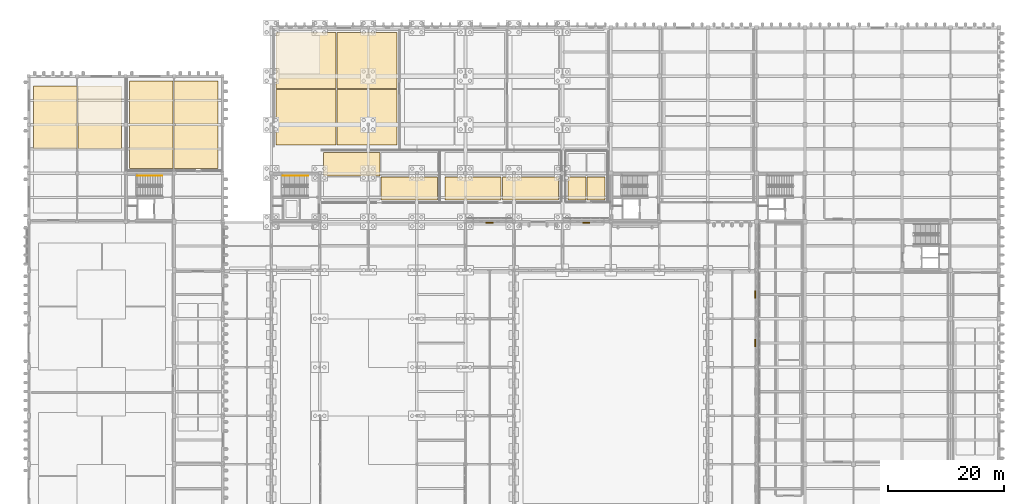
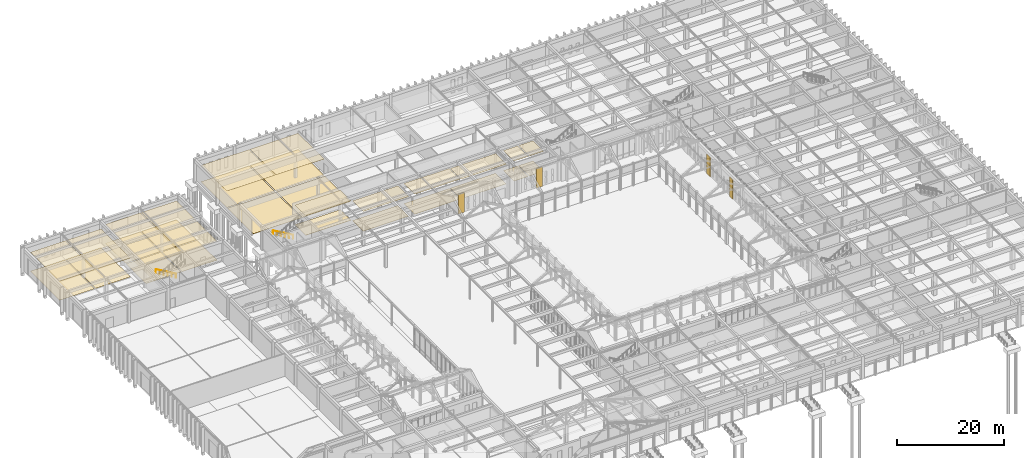
# One storey, part 137 of 143: 30 coverings, 4 shading devices, 2 railings.
"""IFC4 building model written with IfcOpenShell, lengths in metres."""

from ifc_helpers import new_model, si_unit, direction, frame, origin, origin_2d, place, context, subcontext, project, spatial, rectangle, circle, extrude, material, layer, layer_set, type_object, element, save


model = new_model("IFC4")

# Units and contexts
model_context = context("Model", 3, precision=1e-05, world=origin(), true_north=direction((0.0, 1.0)))
body_context = subcontext(model_context, "Body", "Model", "MODEL_VIEW")
ifc_project = project(units=[si_unit("LENGTHUNIT", "METRE"), si_unit("AREAUNIT", "SQUARE_METRE"), si_unit("VOLUMEUNIT", "CUBIC_METRE"), si_unit("PLANEANGLEUNIT", "RADIAN"), si_unit("MASSUNIT", "GRAM", prefix="KILO")], contexts=[model_context])

# Site, building, storey
site_placement = place(None, origin())
site = spatial("IfcSite", under=ifc_project, at=site_placement, CompositionType="ELEMENT")
building_placement = place(site_placement, origin())
building = spatial("IfcBuilding", under=site, at=building_placement, Name="Kveldsbrygga Polytechnic", CompositionType="ELEMENT")
storey_placement = place(building_placement, origin())
storey = spatial("IfcBuildingStorey", under=building, at=storey_placement, Name="L00", CompositionType="ELEMENT", Elevation=0.0)

# Coverings
ifc_material_1 = material(Name="Acoustic mineral baffle ceiling")
ifc_layer_1 = layer(ifc_material_1, 0.030029296875)
ifc_layer_set_1 = layer_set([ifc_layer_1], Name="Acoustic mineral baffle ceiling")
covering_type_1 = type_object("IfcCoveringType", Name="COV-CEIL-AC30", PredefinedType="CEILING", material=ifc_layer_set_1)
for number, where, z_axis, x_axis, name in (
    (1, (4.60009765625, 102.050048828125, 4.2900390625), (0.0, 0.0, 1.0), (1.0, 0.0, 0.0), "Acoustic Ceiling SP-L00-LOAD-WN"),
    (2, (12.300048828125, 102.050048828125, 4.2900390625), (0.0, 0.0, 1.0), (1.0, 0.0, 0.0), "Acoustic Ceiling SP-L00-LOAD-EN"),
):
    element("IfcCovering", number, at=place(storey_placement, frame(where, z_axis=z_axis, x_axis=x_axis)), inside=storey, type_object=covering_type_1, Name=name, PredefinedType="CEILING", context=body_context, shape_type="SweptSolid", body=[
        extrude(rectangle(XDim=7.5, YDim=10.89990234375, at=origin_2d()), origin(), (0.0, 0.0, 1.0), 0.030029296875),
    ])
for number, where, z_axis, x_axis, name in (
    (3, (21.22509765625, 96.97509765625, 4.2900390625), (0.0, 0.0, 1.0), (1.0, 0.0, 0.0), "Acoustic Ceiling SP-L00-WKSTOR-WS"),
    (4, (21.22509765625, 104.625, 4.2900390625), (0.0, 0.0, 1.0), (1.0, 0.0, 0.0), "Acoustic Ceiling SP-L00-WKSTOR-WN"),
    (5, (28.97509765625, 96.97509765625, 4.2900390625), (0.0, 0.0, 1.0), (1.0, 0.0, 0.0), "Acoustic Ceiling SP-L00-WKSTOR-ES"),
    (6, (28.97509765625, 104.625, 4.2900390625), (0.0, 0.0, 1.0), (1.0, 0.0, 0.0), "Acoustic Ceiling SP-L00-WKSTOR-EN"),
):
    element("IfcCovering", number, at=place(storey_placement, frame(where, z_axis=z_axis, x_axis=x_axis)), inside=storey, type_object=covering_type_1, Name=name, PredefinedType="CEILING", context=body_context, shape_type="SweptSolid", body=[
        extrude(rectangle(XDim=7.550048828125, YDim=7.449951171875, at=origin_2d()), origin(), (0.0, 0.0, 1.0), 0.030029296875),
    ])
for number, where, z_axis, x_axis, name in (
    (7, (55.925048828125, 93.949951171875, 4.43017578125), (0.0, 0.0, 1.0), (1.0, 0.0, 0.0), "Acoustic Ceiling SP-L00-SEM01-WN"),
    (8, (65.875, 89.75, 4.4599609375), (0.0, 0.0, 1.0), (1.0, 0.0, 0.0), "Acoustic Ceiling SP-L00-SEM01-ES"),
    (9, (76.925048828125, 89.75, 4.5498046875), (0.0, 0.0, 1.0), (1.0, 0.0, 0.0), "Acoustic Ceiling SP-L00-SEM02-WS"),
    (10, (86.875, 89.75, 4.4599609375), (0.0, 0.0, 1.0), (1.0, 0.0, 0.0), "Acoustic Ceiling SP-L00-SEM02-ES"),
):
    element("IfcCovering", number, at=place(storey_placement, frame(where, z_axis=z_axis, x_axis=x_axis)), inside=storey, type_object=covering_type_1, Name=name, PredefinedType="CEILING", context=body_context, shape_type="SweptSolid", body=[
        extrude(rectangle(XDim=9.75, YDim=4.0, at=origin_2d()), origin(), (0.0, 0.0, 1.0), 0.030029296875),
    ])
ifc_material_2 = material(Name="Gypsum acoustic ceiling")
ifc_layer_2 = layer(ifc_material_2, 0.02001953125)
ifc_layer_set_2 = layer_set([ifc_layer_2], Name="Gypsum acoustic ceiling")
covering_type_2 = type_object("IfcCoveringType", Name="COV-CEIL-GY20", PredefinedType="CEILING", material=ifc_layer_set_2)
for number, where, z_axis, x_axis, name in (
    (11, (94.949951171875, 89.762451171875, 4.56005859375), (0.0, 0.0, 1.0), (1.0, 0.0, 0.0), "Acoustic Ceiling SP-L00-V2WC-WS"),
    (12, (98.25, 89.762451171875, 4.56005859375), (0.0, 0.0, 1.0), (1.0, 0.0, 0.0), "Acoustic Ceiling SP-L00-V2WC-ES"),
):
    element("IfcCovering", number, at=place(storey_placement, frame(where, z_axis=z_axis, x_axis=x_axis)), inside=storey, type_object=covering_type_2, Name=name, PredefinedType="CEILING", context=body_context, shape_type="SweptSolid", body=[
        extrude(rectangle(XDim=3.10009765625, YDim=3.925048828125, at=origin_2d()), origin(), (0.0, 0.0, 1.0), 0.02001953125),
    ])
ifc_material_3 = material(Name="Acoustic oak timber slat ceiling", Category="wood")
ifc_layer_3 = layer(ifc_material_3, 0.0400390625)
ifc_layer_set_3 = layer_set([ifc_layer_3], Name="Acoustic oak timber slat ceiling")
covering_type_3 = type_object("IfcCoveringType", Name="COV-CEIL-WD40", PredefinedType="CEILING", material=ifc_layer_set_3)
for number, where, z_axis, x_axis, name in (
    (13, (48.02490234375, 111.925048828125, 3.699951171875), (0.0, 0.0, 1.0), (1.0, 0.0, 0.0), "Acoustic Ceiling SP-L00-LT1-WN"),
    (14, (58.574951171875, 111.925048828125, 3.699951171875), (0.0, 0.0, 1.0), (1.0, 0.0, 0.0), "Acoustic Ceiling SP-L00-LT1-EN"),
):
    element("IfcCovering", number, at=place(storey_placement, frame(where, z_axis=z_axis, x_axis=x_axis)), inside=storey, type_object=covering_type_3, Name=name, PredefinedType="CEILING", context=body_context, shape_type="SweptSolid", body=[
        extrude(rectangle(XDim=10.35009765625, YDim=9.64990234375, at=origin_2d()), origin(), (0.0, 0.0, 1.0), 0.0400390625),
    ])
ifc_material_4 = material(Name="Iddefjord granite honed paving", Category="masonry")
ifc_layer_4 = layer(ifc_material_4, 0.02490234375)
ifc_layer_set_4 = layer_set([ifc_layer_4], Name="Iddefjord granite honed paving")
covering_type_4 = type_object("IfcCoveringType", Name="COV-FLR-GRN25", PredefinedType="FLOORING", material=ifc_layer_set_4)
for number, where, z_axis, x_axis, name in (
    (15, (94.949951171875, 89.762451171875, 0.0), (0.0, 0.0, 1.0), (1.0, 0.0, 0.0), "Room Flooring SP-L00-V2WC-WS"),
    (16, (98.25, 89.762451171875, 0.0), (0.0, 0.0, 1.0), (1.0, 0.0, 0.0), "Room Flooring SP-L00-V2WC-ES"),
):
    element("IfcCovering", number, at=place(storey_placement, frame(where, z_axis=z_axis, x_axis=x_axis)), inside=storey, type_object=covering_type_4, Name=name, PredefinedType="FLOORING", context=body_context, shape_type="SweptSolid", body=[
        extrude(rectangle(XDim=3.10009765625, YDim=3.925048828125, at=origin_2d()), origin(), (0.0, 0.0, 1.0), 0.02490234375),
    ])
ifc_material_5 = material(Name="Acoustic oak timber flooring", Category="wood")
ifc_layer_5 = layer(ifc_material_5, 0.02197265625)
ifc_layer_set_5 = layer_set([ifc_layer_5], Name="Acoustic oak timber flooring")
covering_type_5 = type_object("IfcCoveringType", Name="COV-FLR-OAK22", PredefinedType="FLOORING", material=ifc_layer_set_5)
for number, where, z_axis, x_axis, name in (
    (17, (4.60009765625, 102.050048828125, 0.0), (0.0, 0.0, 1.0), (1.0, 0.0, 0.0), "Room Flooring SP-L00-LOAD-WN"),
    (18, (12.300048828125, 102.050048828125, 0.0), (0.0, 0.0, 1.0), (1.0, 0.0, 0.0), "Room Flooring SP-L00-LOAD-EN"),
):
    element("IfcCovering", number, at=place(storey_placement, frame(where, z_axis=z_axis, x_axis=x_axis)), inside=storey, type_object=covering_type_5, Name=name, PredefinedType="FLOORING", context=body_context, shape_type="SweptSolid", body=[
        extrude(rectangle(XDim=7.5, YDim=10.89990234375, at=origin_2d()), origin(), (0.0, 0.0, 1.0), 0.02197265625),
    ])
for number, where, z_axis, x_axis, name in (
    (19, (21.22509765625, 96.97509765625, 0.0), (0.0, 0.0, 1.0), (1.0, 0.0, 0.0), "Room Flooring SP-L00-WKSTOR-WS"),
    (20, (21.22509765625, 104.625, 0.0), (0.0, 0.0, 1.0), (1.0, 0.0, 0.0), "Room Flooring SP-L00-WKSTOR-WN"),
    (21, (28.97509765625, 96.97509765625, 0.0), (0.0, 0.0, 1.0), (1.0, 0.0, 0.0), "Room Flooring SP-L00-WKSTOR-ES"),
    (22, (28.97509765625, 104.625, 0.0), (0.0, 0.0, 1.0), (1.0, 0.0, 0.0), "Room Flooring SP-L00-WKSTOR-EN"),
):
    element("IfcCovering", number, at=place(storey_placement, frame(where, z_axis=z_axis, x_axis=x_axis)), inside=storey, type_object=covering_type_5, Name=name, PredefinedType="FLOORING", context=body_context, shape_type="SweptSolid", body=[
        extrude(rectangle(XDim=7.550048828125, YDim=7.449951171875, at=origin_2d()), origin(), (0.0, 0.0, 1.0), 0.02197265625),
    ])
for number, where, z_axis, x_axis, name in (
    (23, (55.925048828125, 93.949951171875, 0.0), (0.0, 0.0, 1.0), (1.0, 0.0, 0.0), "Room Flooring SP-L00-SEM01-WN"),
    (24, (65.875, 89.75, 0.0), (0.0, 0.0, 1.0), (1.0, 0.0, 0.0), "Room Flooring SP-L00-SEM01-ES"),
    (25, (76.925048828125, 89.75, 0.0), (0.0, 0.0, 1.0), (1.0, 0.0, 0.0), "Room Flooring SP-L00-SEM02-WS"),
    (26, (86.875, 89.75, 0.0), (0.0, 0.0, 1.0), (1.0, 0.0, 0.0), "Room Flooring SP-L00-SEM02-ES"),
):
    element("IfcCovering", number, at=place(storey_placement, frame(where, z_axis=z_axis, x_axis=x_axis)), inside=storey, type_object=covering_type_5, Name=name, PredefinedType="FLOORING", context=body_context, shape_type="SweptSolid", body=[
        extrude(rectangle(XDim=9.75, YDim=4.0, at=origin_2d()), origin(), (0.0, 0.0, 1.0), 0.02197265625),
    ])
for number, where, z_axis, x_axis, name in (
    (27, (48.02490234375, 102.074951171875, 0.0), (0.0, 0.0, 1.0), (1.0, 0.0, 0.0), "Room Flooring SP-L00-LT1-WS"),
    (28, (48.02490234375, 111.925048828125, 0.0), (0.0, 0.0, 1.0), (1.0, 0.0, 0.0), "Room Flooring SP-L00-LT1-WN"),
    (29, (58.574951171875, 102.074951171875, 0.0), (0.0, 0.0, 1.0), (1.0, 0.0, 0.0), "Room Flooring SP-L00-LT1-ES"),
    (30, (58.574951171875, 111.925048828125, 0.0), (0.0, 0.0, 1.0), (1.0, 0.0, 0.0), "Room Flooring SP-L00-LT1-EN"),
):
    element("IfcCovering", number, at=place(storey_placement, frame(where, z_axis=z_axis, x_axis=x_axis)), inside=storey, type_object=covering_type_5, Name=name, PredefinedType="FLOORING", context=body_context, shape_type="SweptSolid", body=[
        extrude(rectangle(XDim=10.35009765625, YDim=9.64990234375, at=origin_2d()), origin(), (0.0, 0.0, 1.0), 0.02197265625),
    ])

# Railings
ifc_material_6 = material(Name="Steel S355", Category="steel")
railing_type = type_object("IfcRailingType", Name="RL-STAIR-HND", PredefinedType="HANDRAIL", material=ifc_material_6)
railing_1_placement = place(storey_placement, frame((48.35009765625, 91.949951171875, 0.169921875)))
element("IfcRailing", 31, at=railing_1_placement, inside=storey, type_object=railing_type, Name="L00 ST-7 stair handrail 1", PredefinedType="HANDRAIL", context=body_context, shape_type="SweptSolid", body=[
    extrude(circle(Radius=0.02392578125, at=origin_2d()), frame((0.0, 0.0, 0.8759765625), z_axis=(-0.862698698498, 0.0, 0.505718257145), x_axis=(0.0, -1.0, 0.0)), (0.0, 0.0, 1.0), 5.04248046875),
    extrude(circle(Radius=0.02099609375, at=origin_2d()), origin(), (0.0, 0.0, 1.0), 0.847900390625),
    extrude(circle(Radius=0.02099609375, at=origin_2d()), frame((-0.8701171875, 0.0, 0.510009765625)), (0.0, 0.0, 1.0), 0.847900390625),
    extrude(circle(Radius=0.02099609375, at=origin_2d()), frame((-1.739990234375, 0.0, 1.02001953125)), (0.0, 0.0, 1.0), 0.847900390625),
    extrude(circle(Radius=0.02099609375, at=origin_2d()), frame((-2.610107421875, 0.0, 1.530029296875)), (0.0, 0.0, 1.0), 0.847900390625),
    extrude(circle(Radius=0.02099609375, at=origin_2d()), frame((-3.47998046875, 0.0, 2.0400390625)), (0.0, 0.0, 1.0), 0.847900390625),
    extrude(circle(Radius=0.02099609375, at=origin_2d()), frame((-4.35009765625, 0.0, 2.550048828125)), (0.0, 0.0, 1.0), 0.847900390625),
])
railing_2_placement = place(storey_placement, frame((23.14990234375, 91.949951171875, 0.169921875)))
element("IfcRailing", 32, at=railing_2_placement, inside=storey, type_object=railing_type, Name="L00 ST-8 stair handrail 1", PredefinedType="HANDRAIL", context=body_context, shape_type="SweptSolid", body=[
    extrude(circle(Radius=0.02392578125, at=origin_2d()), frame((0.0, 0.0, 0.8759765625), z_axis=(-0.862686314962, 0.0, 0.505739381477), x_axis=(0.0, -1.0, 0.0)), (0.0, 0.0, 1.0), 5.042236328125),
    extrude(circle(Radius=0.02099609375, at=origin_2d()), origin(), (0.0, 0.0, 1.0), 0.847900390625),
    extrude(circle(Radius=0.02099609375, at=origin_2d()), frame((-0.869873046875, 0.0, 0.510009765625)), (0.0, 0.0, 1.0), 0.847900390625),
    extrude(circle(Radius=0.02099609375, at=origin_2d()), frame((-1.739990234375, 0.0, 1.02001953125)), (0.0, 0.0, 1.0), 0.847900390625),
    extrude(circle(Radius=0.02099609375, at=origin_2d()), frame((-2.60986328125, 0.0, 1.530029296875)), (0.0, 0.0, 1.0), 0.847900390625),
    extrude(circle(Radius=0.02099609375, at=origin_2d()), frame((-3.47998046875, 0.0, 2.0400390625)), (0.0, 0.0, 1.0), 0.847900390625),
    extrude(circle(Radius=0.02099609375, at=origin_2d()), frame((-4.349853515625, 0.0, 2.550048828125)), (0.0, 0.0, 1.0), 0.847900390625),
])

# Shading devices
ifc_material_7 = material(Name="Fired clay brick masonry M10", Category="masonry")
ifc_layer_6 = layer(ifc_material_7, 0.139892578125)
ifc_layer_set_6 = layer_set([ifc_layer_6], Name="Fired clay brick masonry M10")
shading_device_type = type_object("IfcShadingDeviceType", Name="SCR-BRICK-1400", PredefinedType="SHUTTER", material=ifc_layer_set_6)
for number, where, z_axis, x_axis, name in (
    (33, (79.78759765625, 83.820068359375, 0.0), (0.0, 0.0, 1.0), (1.0, 0.0, 0.0), "Perforated Brick Screen Hood L00-X-09-10"),
    (34, (96.550048828125, 83.820068359375, 0.0), (0.0, 0.0, 1.0), (1.0, 0.0, 0.0), "Perforated Brick Screen Hood L00-X-11-10"),
):
    element("IfcShadingDevice", number, at=place(storey_placement, frame(where, z_axis=z_axis, x_axis=x_axis)), inside=storey, type_object=shading_device_type, Name=name, PredefinedType="SHUTTER", context=body_context, shape_type="SweptSolid", body=[
        extrude(rectangle(XDim=1.260009765625, YDim=0.139892578125, at=origin_2d()), origin(), (0.0, 0.0, 1.0), 4.39990234375),
    ])
for number, where, z_axis, x_axis, name in (
    (35, (125.820068359375, 63.007568359375, 0.0), (0.0, 0.0, 1.0), (0.0, 1.0, 0.0), "Perforated Brick Screen Hood L00-Y-15-07"),
    (36, (125.820068359375, 71.392578125, 0.0), (0.0, 0.0, 1.0), (0.0, 1.0, 0.0), "Perforated Brick Screen Hood L00-Y-15-08"),
):
    element("IfcShadingDevice", number, at=place(storey_placement, frame(where, z_axis=z_axis, x_axis=x_axis)), inside=storey, type_object=shading_device_type, Name=name, PredefinedType="SHUTTER", context=body_context, shape_type="SweptSolid", body=[
        extrude(rectangle(XDim=1.260009765625, YDim=0.139892578125, at=origin_2d()), origin(), (0.0, 0.0, 1.0), 4.389892578125),
    ])

save(model, "model.ifc")
